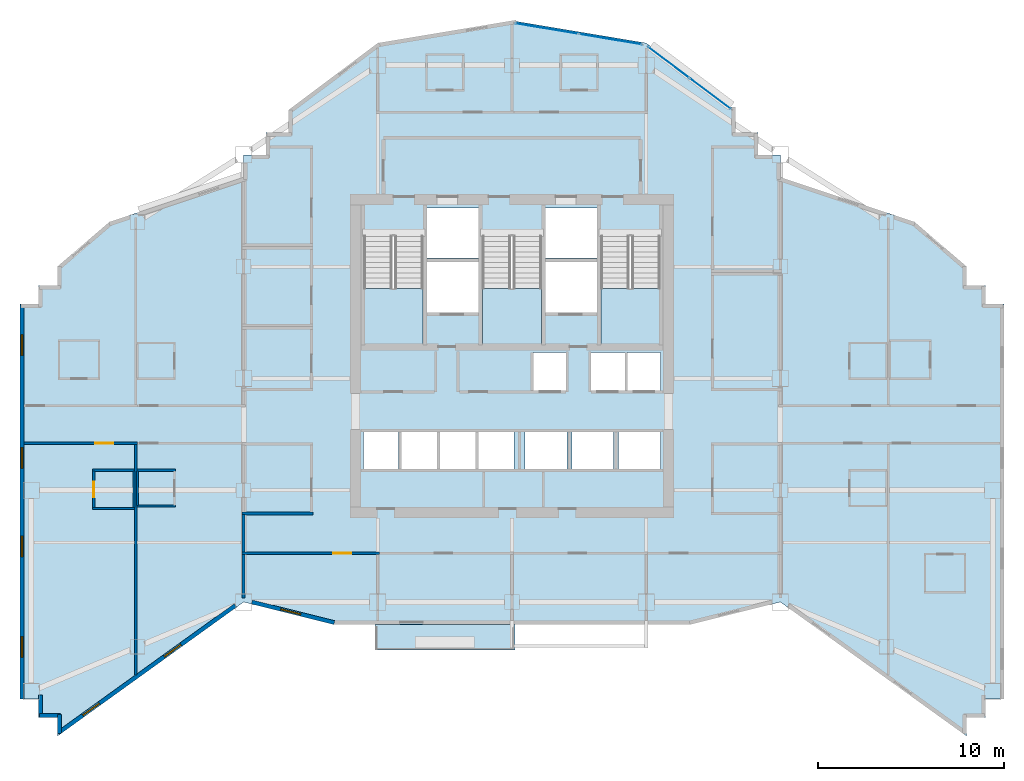
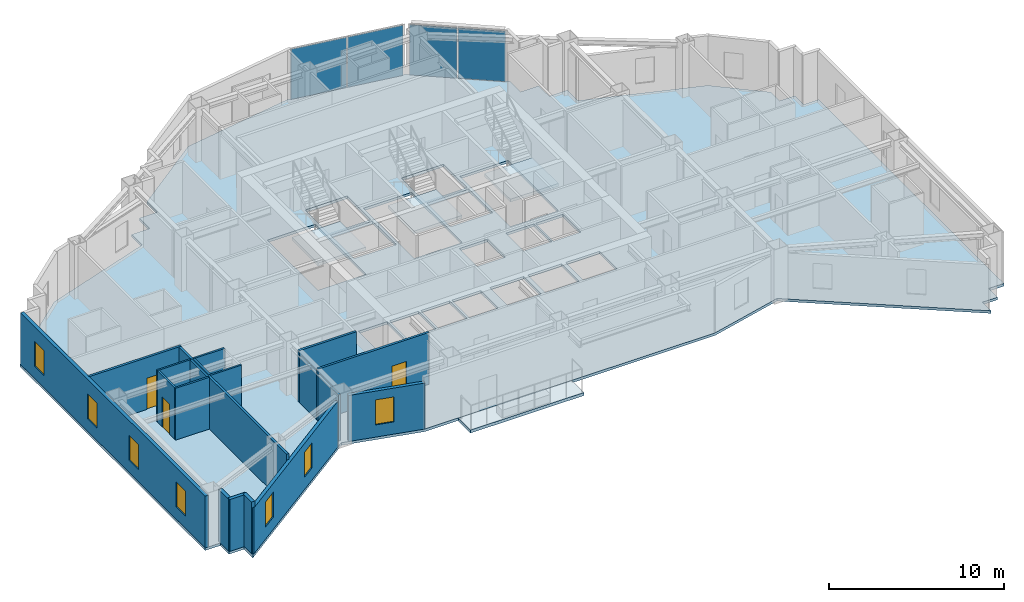
# One storey, part 4 of 11: 19 walls, 7 windows, 5 slabs, 4 plates, 3 doors, 10 openings, 5 elements without a shape of their own.
"""IFC4 building model written with IfcOpenShell, lengths in metres."""

from ifc_helpers import new_model, si_unit, direction, frame, frame_2d, origin, origin_2d, place, context, subcontext, project, spatial, polyline, rectangle, outline, extrude, material, layer, layer_set, type_object, element, fill, aggregate, save


model = new_model("IFC4")

# Units and contexts
model_context = context("Model", 3, precision=1e-05, world=origin(), true_north=direction((0.0, 1.0)))
body_context = subcontext(model_context, "Body", "Model", "MODEL_VIEW")
ifc_project = project(units=[si_unit("LENGTHUNIT", "METRE"), si_unit("AREAUNIT", "SQUARE_METRE"), si_unit("VOLUMEUNIT", "CUBIC_METRE"), si_unit("PLANEANGLEUNIT", "RADIAN"), si_unit("MASSUNIT", "GRAM", prefix="KILO")], contexts=[model_context])

# Site, building, storey
site_placement = place(None, origin())
site = spatial("IfcSite", under=ifc_project, at=site_placement, CompositionType="ELEMENT")
building_placement = place(site_placement, origin())
building = spatial("IfcBuilding", under=site, at=building_placement, Name="Haolan Belvedere Tower", CompositionType="ELEMENT")
storey_placement = place(building_placement, frame((0.0, 0.0, 172.800048828125)))
storey = spatial("IfcBuildingStorey", under=building, at=storey_placement, Name="L43", CompositionType="ELEMENT", Elevation=172.800048828125)

# Curtain wall, plates
ifc_material_1 = material(Name="Anodised champagne-silver aluminium 6063-T6 and Low-E glass", Category="aluminium")
ifc_layer_1 = layer(ifc_material_1, 0.14990234375, Name="Anodised champagne-silver aluminium 6063-T6 and Low-E glass")
ifc_layer_set_1 = layer_set([ifc_layer_1], Name="Anodised champagne-silver aluminium 6063-T6 and Low-E glass")
curtain_wall_type = type_object("IfcCurtainWallType", Name="CW-SYS-04", PredefinedType="NOTDEFINED", material=ifc_layer_set_1)
curtain_wall_1_placement = place(storey_placement, origin())
curtain_wall_1 = element("IfcCurtainWall", 1, at=curtain_wall_1_placement, inside=storey, type_object=curtain_wall_type, Name="L43 CW-SYS-04 ribbon curtain wall 20.1", PredefinedType="NOTDEFINED")
ifc_material_2 = material(Name="Double silver Low-E laminated insulating glass", Category="glass")
ifc_layer_2 = layer(ifc_material_2, 0.02392578125, Name="Double silver Low-E laminated insulating glass")
ifc_layer_set_2 = layer_set([ifc_layer_2], Name="Double silver Low-E laminated insulating glass")
plate_type = type_object("IfcPlateType", Name="CW-SYS-04-PNL", PredefinedType="CURTAIN_PANEL", material=ifc_layer_set_2)
plate_1_placement = place(storey_placement, frame((49.0390625, 48.883056640625, 0.052001953125), z_axis=(0.0, 0.0, 1.0), x_axis=(-0.799997871638, 0.600002837806, 0.0)))
plate_1 = element("IfcPlate", 2, at=plate_1_placement, type_object=plate_type, Name="CW-04 panel 1.1", PredefinedType="CURTAIN_PANEL", context=body_context, shape_type="SweptSolid", body=[
    extrude(rectangle(XDim=2.735107421875, YDim=0.02392578125, at=origin_2d()), origin(), (0.0, 0.0, 1.0), 3.51611328125),
])
plate_2_placement = place(storey_placement, frame((46.806396484375, 50.557861328125, 0.052001953125), z_axis=(0.0, 0.0, 1.0), x_axis=(-0.799997871638, 0.600002837806, 0.0)))
plate_2 = element("IfcPlate", 3, at=plate_2_placement, type_object=plate_type, Name="CW-04 panel 2.1", PredefinedType="CURTAIN_PANEL", context=body_context, shape_type="SweptSolid", body=[
    extrude(rectangle(XDim=2.735107421875, YDim=0.02392578125, at=origin_2d()), origin(), (0.0, 0.0, 1.0), 3.51611328125),
])
aggregate(curtain_wall_1, [plate_1, plate_2])

curtain_wall_2_placement = place(storey_placement, origin())
curtain_wall_2 = element("IfcCurtainWall", 4, at=curtain_wall_2_placement, inside=storey, type_object=curtain_wall_type, Name="L43 CW-SYS-04 ribbon curtain wall 21.1", PredefinedType="NOTDEFINED")
plate_3_placement = place(storey_placement, frame((43.683837890625, 51.807861328125, 0.052001953125), z_axis=(0.0, 0.0, 1.0), x_axis=(-0.98639276122, 0.164405962825, 0.0)))
plate_3 = element("IfcPlate", 5, at=plate_3_placement, type_object=plate_type, Name="CW-04 panel 1.1", PredefinedType="CURTAIN_PANEL", context=body_context, shape_type="SweptSolid", body=[
    extrude(rectangle(XDim=3.403076171875, YDim=0.02392578125, at=origin_2d()), origin(), (0.0, 0.0, 1.0), 3.51611328125),
])
plate_4_placement = place(storey_placement, frame((40.271728515625, 52.37646484375, 0.052001953125), z_axis=(0.0, 0.0, 1.0), x_axis=(-0.98639276122, 0.164405962825, 0.0)))
plate_4 = element("IfcPlate", 6, at=plate_4_placement, type_object=plate_type, Name="CW-04 panel 2.1", PredefinedType="CURTAIN_PANEL", context=body_context, shape_type="SweptSolid", body=[
    extrude(rectangle(XDim=3.403076171875, YDim=0.02392578125, at=origin_2d()), origin(), (0.0, 0.0, 1.0), 3.51611328125),
])
aggregate(curtain_wall_2, [plate_3, plate_4])

# Slabs
ifc_material_3 = material(Name="Concrete C40/50", Category="concrete")
ifc_layer_3 = layer(ifc_material_3, 0.2099609375, Name="Concrete C40/50")
ifc_layer_set_3 = layer_set([ifc_layer_3], Name="Concrete C40/50")
slab_type_1 = type_object("IfcSlabType", Name="SL-BAL-210", PredefinedType="FLOOR", material=ifc_layer_set_3)
slab_1_placement = place(storey_placement, frame((0.0, 0.0, -0.22998046875)))
element("IfcSlab", 7, at=slab_1_placement, inside=storey, type_object=slab_type_1, Name="L43 structural tree-planter balcony slab BAL-L43-S1", PredefinedType="FLOOR", context=body_context, shape_type="SweptSolid", body=[
    extrude(outline(polyline([(31.050048828125, 19.02001953125), (38.550048828125, 19.02001953125), (38.550048828125, 20.39990234375), (31.050048828125, 20.39990234375), (31.050048828125, 19.02001953125)])), origin(), (0.0, 0.0, 1.0), 0.2099609375),
])
ifc_layer_4 = layer(ifc_material_3, 0.179931640625, Name="Concrete C40/50")
ifc_layer_set_4 = layer_set([ifc_layer_4], Name="Concrete C40/50")
slab_type_2 = type_object("IfcSlabType", Name="SL-FLR-180", PredefinedType="FLOOR", material=ifc_layer_set_4)
slab_2_placement = place(storey_placement, frame((0.0, 0.0, -0.179931640625)))
element("IfcSlab", 8, at=slab_2_placement, inside=storey, type_object=slab_type_2, Name="L43 structural floor slab", PredefinedType="FLOOR", context=body_context, shape_type="SweptSolid", body=[
    extrude(outline(polyline([(24.0, 21.60009765625), (28.800048828125, 20.39990234375), (48.0, 20.39990234375), (52.800048828125, 21.60009765625), (62.800048828125, 14.39990234375), (62.800048828125, 15.39990234375), (63.800048828125, 15.39990234375), (63.800048828125, 16.39990234375), (64.800048828125, 16.39990234375), (64.800048828125, 37.60009765625), (63.800048828125, 37.60009765625), (63.800048828125, 38.60009765625), (62.800048828125, 38.60009765625), (62.800048828125, 39.60009765625), (60.0, 42.0), (52.800048828125, 44.39990234375), (52.800048828125, 45.60009765625), (51.60009765625, 45.60009765625), (51.60009765625, 46.800048828125), (50.39990234375, 46.800048828125), (50.39990234375, 48.0), (45.60009765625, 51.60009765625), (38.39990234375, 52.800048828125), (31.199951171875, 51.60009765625), (26.39990234375, 48.0), (26.39990234375, 46.800048828125), (25.199951171875, 46.800048828125), (25.199951171875, 45.60009765625), (24.0, 45.60009765625), (24.0, 44.39990234375), (16.800048828125, 42.0), (14.0, 39.60009765625), (14.0, 38.60009765625), (13.0, 38.60009765625), (13.0, 37.60009765625), (12.0, 37.60009765625), (12.0, 16.800048828125), (12.0, 16.39990234375), (13.0, 16.39990234375), (13.0, 15.39990234375), (14.0, 15.39990234375), (14.0, 14.39990234375), (24.0, 21.60009765625)]), holes=[polyline([(30.449951171875, 41.22998046875), (30.449951171875, 35.449951171875), (33.6298828125, 35.449951171875), (33.6298828125, 41.22998046875), (30.449951171875, 41.22998046875)]), polyline([(36.81005859375, 41.22998046875), (36.81005859375, 35.449951171875), (39.989990234375, 35.449951171875), (39.989990234375, 41.22998046875), (36.81005859375, 41.22998046875)]), polyline([(43.169921875, 41.22998046875), (43.169921875, 35.449951171875), (46.35009765625, 35.449951171875), (46.35009765625, 41.22998046875), (43.169921875, 41.22998046875)]), polyline([(33.830078125, 40.050048828125), (36.610107421875, 40.050048828125), (36.610107421875, 42.75), (33.830078125, 42.75), (33.830078125, 40.050048828125)]), polyline([(33.830078125, 37.14990234375), (36.610107421875, 37.14990234375), (36.610107421875, 39.85009765625), (33.830078125, 39.85009765625), (33.830078125, 37.14990234375)]), polyline([(40.18994140625, 40.050048828125), (42.969970703125, 40.050048828125), (42.969970703125, 42.75), (40.18994140625, 42.75), (40.18994140625, 40.050048828125)]), polyline([(40.18994140625, 37.14990234375), (42.969970703125, 37.14990234375), (42.969970703125, 39.85009765625), (40.18994140625, 39.85009765625), (40.18994140625, 37.14990234375)]), polyline([(39.5400390625, 32.949951171875), (41.389892578125, 32.949951171875), (41.389892578125, 35.0), (39.5400390625, 35.0), (39.5400390625, 32.949951171875)]), polyline([(42.6201171875, 32.949951171875), (44.469970703125, 32.949951171875), (44.469970703125, 35.0), (42.6201171875, 35.0), (42.6201171875, 32.949951171875)]), polyline([(44.580078125, 32.949951171875), (46.3798828125, 32.949951171875), (46.3798828125, 35.0), (44.580078125, 35.0), (44.580078125, 32.949951171875)]), polyline([(30.419921875, 28.75), (32.320068359375, 28.75), (32.320068359375, 30.75), (30.419921875, 30.75), (30.419921875, 28.75)]), polyline([(32.47998046875, 28.75), (34.3798828125, 28.75), (34.3798828125, 30.75), (32.47998046875, 30.75), (32.47998046875, 28.75)]), polyline([(34.5400390625, 28.75), (36.43994140625, 28.75), (36.43994140625, 30.75), (34.5400390625, 30.75), (34.5400390625, 28.75)]), polyline([(36.60009765625, 28.75), (38.5, 28.75), (38.5, 30.75), (36.60009765625, 30.75), (36.60009765625, 28.75)]), polyline([(39.10009765625, 28.75), (41.340087890625, 28.75), (41.340087890625, 30.75), (39.10009765625, 30.75), (39.10009765625, 28.75)]), polyline([(41.610107421875, 28.75), (43.85009765625, 28.75), (43.85009765625, 30.75), (41.610107421875, 30.75), (41.610107421875, 28.75)]), polyline([(44.1201171875, 28.75), (46.360107421875, 28.75), (46.360107421875, 30.75), (44.1201171875, 30.75), (44.1201171875, 28.75)])]), origin(), (0.0, 0.0, 1.0), 0.179931640625),
])

# Stair, slab
stair_type = type_object("IfcStairType", Name="STR-DL-22R-173", PredefinedType="HALF_TURN_STAIR", material=ifc_material_3)
stair_1_placement = place(storey_placement, origin())
stair_1 = element("IfcStair", 9, at=stair_1_placement, inside=storey, type_object=stair_type, Name="L43 Smokeproof Core Exit Stair ST1", PredefinedType="HALF_TURN_STAIR")
ifc_layer_5 = layer(ifc_material_3, 0.199951171875, Name="Concrete C40/50")
ifc_layer_set_5 = layer_set([ifc_layer_5], Name="Concrete C40/50")
slab_type_3 = type_object("IfcSlabType", Name="SL-LAND-200", PredefinedType="LANDING", material=ifc_layer_set_5)
slab_3_placement = place(storey_placement, frame((0.0, 0.0, 1.699951171875)))
slab_3 = element("IfcSlab", 10, at=slab_3_placement, type_object=slab_type_3, Name="ST1 landing 1", PredefinedType="LANDING", context=body_context, shape_type="SweptSolid", body=[
    extrude(outline(polyline([(30.449951171875, 38.429931640625), (30.449951171875, 35.449951171875), (33.6298828125, 35.449951171875), (33.6298828125, 38.429931640625), (30.449951171875, 38.429931640625)])), origin(), (0.0, 0.0, 1.0), 0.199951171875),
])
aggregate(stair_1, [slab_3])

stair_2_placement = place(storey_placement, origin())
stair_2 = element("IfcStair", 11, at=stair_2_placement, inside=storey, type_object=stair_type, Name="L43 Smokeproof Core Exit Stair ST3", PredefinedType="HALF_TURN_STAIR")
slab_4_placement = place(storey_placement, frame((0.0, 0.0, 1.699951171875)))
slab_4 = element("IfcSlab", 12, at=slab_4_placement, type_object=slab_type_3, Name="ST3 landing 1", PredefinedType="LANDING", context=body_context, shape_type="SweptSolid", body=[
    extrude(outline(polyline([(36.81005859375, 38.429931640625), (36.81005859375, 35.449951171875), (39.989990234375, 35.449951171875), (39.989990234375, 38.429931640625), (36.81005859375, 38.429931640625)])), origin(), (0.0, 0.0, 1.0), 0.199951171875),
])
aggregate(stair_2, [slab_4])

stair_3_placement = place(storey_placement, origin())
stair_3 = element("IfcStair", 13, at=stair_3_placement, inside=storey, type_object=stair_type, Name="L43 Smokeproof Core Exit Stair ST2", PredefinedType="HALF_TURN_STAIR")
slab_5_placement = place(storey_placement, frame((0.0, 0.0, 1.699951171875)))
slab_5 = element("IfcSlab", 14, at=slab_5_placement, type_object=slab_type_3, Name="ST2 landing 1", PredefinedType="LANDING", context=body_context, shape_type="SweptSolid", body=[
    extrude(outline(polyline([(43.169921875, 38.429931640625), (43.169921875, 35.449951171875), (46.35009765625, 35.449951171875), (46.35009765625, 38.429931640625), (43.169921875, 38.429931640625)])), origin(), (0.0, 0.0, 1.0), 0.199951171875),
])
aggregate(stair_3, [slab_5])

# Wall, openings, windows
ifc_material_4 = material(Name="Precast concrete C40/50", Category="concrete")
ifc_layer_6 = layer(ifc_material_4, 0.219970703125, Name="Precast concrete C40/50")
ifc_layer_set_6 = layer_set([ifc_layer_6], Name="Precast concrete C40/50")
wall_type_1 = type_object("IfcWallType", Name="WL-EXT-220", PredefinedType="SOLIDWALL", material=ifc_layer_set_6)
wall_1_placement = place(storey_placement, frame((12.110107421875, 37.544921875, 0.0), z_axis=(0.0, 0.0, 1.0), x_axis=(0.0, -1.0, 0.0)))
wall_1 = element("IfcWall", 15, at=wall_1_placement, inside=storey, type_object=wall_type_1, Name="L43 pale-metal exterior spandrel wall 35.1", PredefinedType="SOLIDWALL", context=body_context, shape_type="SweptSolid", body=[
    extrude(rectangle(XDim=21.14501953125, YDim=0.219970703125, at=frame_2d((10.572509765625, 0.0))), origin(), (0.0, 0.0, 1.0), 3.619873046875),
])
opening_1_placement = place(wall_1_placement, frame((1.60009765625, 0.0, 0.85009765625)))
opening_1 = element("IfcOpeningElement", 16, at=opening_1_placement, cuts=wall_1, Name="Opening W-03", PredefinedType="OPENING", context=body_context, shape_type="SweptSolid", body=[
    extrude(rectangle(XDim=1.10009765625, YDim=1.75, at=frame_2d((0.550048828125, 0.875))), frame((0.0, 0.119873046875, 0.0), z_axis=(0.0, -1.0, 0.0), x_axis=(1.0, 0.0, 0.0)), (0.0, 0.0, 1.0), 0.239990234375),
])
opening_2_placement = place(wall_1_placement, frame((7.659912109375, 0.0, 0.85009765625)))
opening_2 = element("IfcOpeningElement", 17, at=opening_2_placement, cuts=wall_1, Name="Opening W-03", PredefinedType="OPENING", context=body_context, shape_type="SweptSolid", body=[
    extrude(rectangle(XDim=1.10009765625, YDim=1.75, at=frame_2d((0.550048828125, 0.875))), frame((0.0, 0.119873046875, 0.0), z_axis=(0.0, -1.0, 0.0), x_axis=(1.0, 0.0, 0.0)), (0.0, 0.0, 1.0), 0.239990234375),
])
opening_3_placement = place(wall_1_placement, frame((12.39990234375, 0.0, 0.85009765625)))
opening_3 = element("IfcOpeningElement", 18, at=opening_3_placement, cuts=wall_1, Name="Opening W-03", PredefinedType="OPENING", context=body_context, shape_type="SweptSolid", body=[
    extrude(rectangle(XDim=1.10009765625, YDim=1.75, at=frame_2d((0.550048828125, 0.875))), frame((0.0, 0.119873046875, 0.0), z_axis=(0.0, -1.0, 0.0), x_axis=(1.0, 0.0, 0.0)), (0.0, 0.0, 1.0), 0.239990234375),
])
opening_4_placement = place(wall_1_placement, frame((17.800048828125, 0.0, 0.85009765625)))
opening_4 = element("IfcOpeningElement", 19, at=opening_4_placement, cuts=wall_1, Name="Opening W-03", PredefinedType="OPENING", context=body_context, shape_type="SweptSolid", body=[
    extrude(rectangle(XDim=1.10009765625, YDim=1.75, at=frame_2d((0.550048828125, 0.875))), frame((0.0, 0.119873046875, 0.0), z_axis=(0.0, -1.0, 0.0), x_axis=(1.0, 0.0, 0.0)), (0.0, 0.0, 1.0), 0.239990234375),
])
ifc_material_5 = material(Name="Anodised aluminium 6063-T6 and Low-E glass", Category="aluminium")
window_type = type_object("IfcWindowType", Name="WN-DECO-Z3", PartitioningType="SINGLE_PANEL", PredefinedType="WINDOW", material=ifc_material_5)
window_1_placement = place(opening_1_placement, origin())
window_1 = element("IfcWindow", 20, at=window_1_placement, inside=storey, type_object=window_type, Name="L43 Art Deco chevron window 1", OverallHeight=1.75, OverallWidth=1.10009765625, PartitioningType="SINGLE_PANEL", PredefinedType="WINDOW", context=body_context, shape_type="SweptSolid", body=[
    extrude(rectangle(XDim=1.10009765625, YDim=1.75, at=frame_2d((0.550048828125, 0.875))), frame((0.0, 0.030029296875, 0.0), z_axis=(0.0, -1.0, 0.0), x_axis=(1.0, 0.0, 0.0)), (0.0, 0.0, 1.0), 0.06005859375),
])
fill(opening_1, window_1)
window_2_placement = place(opening_2_placement, origin())
window_2 = element("IfcWindow", 21, at=window_2_placement, inside=storey, type_object=window_type, Name="L43 Art Deco chevron window 2", OverallHeight=1.75, OverallWidth=1.10009765625, PartitioningType="SINGLE_PANEL", PredefinedType="WINDOW", context=body_context, shape_type="SweptSolid", body=[
    extrude(rectangle(XDim=1.10009765625, YDim=1.75, at=frame_2d((0.550048828125, 0.875))), frame((0.0, 0.030029296875, 0.0), z_axis=(0.0, -1.0, 0.0), x_axis=(1.0, 0.0, 0.0)), (0.0, 0.0, 1.0), 0.06005859375),
])
fill(opening_2, window_2)
window_3_placement = place(opening_3_placement, origin())
window_3 = element("IfcWindow", 22, at=window_3_placement, inside=storey, type_object=window_type, Name="L43 Art Deco chevron window 3", OverallHeight=1.75, OverallWidth=1.10009765625, PartitioningType="SINGLE_PANEL", PredefinedType="WINDOW", context=body_context, shape_type="SweptSolid", body=[
    extrude(rectangle(XDim=1.10009765625, YDim=1.75, at=frame_2d((0.550048828125, 0.875))), frame((0.0, 0.030029296875, 0.0), z_axis=(0.0, -1.0, 0.0), x_axis=(1.0, 0.0, 0.0)), (0.0, 0.0, 1.0), 0.06005859375),
])
fill(opening_3, window_3)
window_4_placement = place(opening_4_placement, origin())
window_4 = element("IfcWindow", 23, at=window_4_placement, inside=storey, type_object=window_type, Name="L43 Art Deco chevron window 4", OverallHeight=1.75, OverallWidth=1.10009765625, PartitioningType="SINGLE_PANEL", PredefinedType="WINDOW", context=body_context, shape_type="SweptSolid", body=[
    extrude(rectangle(XDim=1.10009765625, YDim=1.75, at=frame_2d((0.550048828125, 0.875))), frame((0.0, 0.030029296875, 0.0), z_axis=(0.0, -1.0, 0.0), x_axis=(1.0, 0.0, 0.0)), (0.0, 0.0, 1.0), 0.06005859375),
])
fill(opening_4, window_4)

# Walls
wall_2_placement = place(storey_placement, frame((13.110107421875, 16.6201171875, 0.0), z_axis=(0.0, 0.0, 1.0), x_axis=(0.0, -1.0, 0.0)))
element("IfcWall", 24, at=wall_2_placement, inside=storey, type_object=wall_type_1, Name="L43 pale-metal exterior spandrel wall 37.1", PredefinedType="SOLIDWALL", context=body_context, shape_type="SweptSolid", body=[
    extrude(rectangle(XDim=1.1650390625, YDim=0.219970703125, at=frame_2d((0.58251953125, 0.0))), origin(), (0.0, 0.0, 1.0), 3.619873046875),
])
wall_3_placement = place(storey_placement, frame((13.054931640625, 15.510009765625, 0.0), z_axis=(0.0, 0.0, 1.0), x_axis=(1.0, 0.0, 0.0)))
element("IfcWall", 25, at=wall_3_placement, inside=storey, type_object=wall_type_1, Name="L43 pale-metal exterior spandrel wall 38.1", PredefinedType="SOLIDWALL", context=body_context, shape_type="SweptSolid", body=[
    extrude(rectangle(XDim=1.110107421875, YDim=0.219970703125, at=frame_2d((0.55517578125, 0.0))), origin(), (0.0, 0.0, 1.0), 3.619873046875),
])
wall_4_placement = place(storey_placement, frame((14.110107421875, 15.56494140625, 0.0), z_axis=(0.0, 0.0, 1.0), x_axis=(0.0, -1.0, 0.0)))
element("IfcWall", 26, at=wall_4_placement, inside=storey, type_object=wall_type_1, Name="L43 pale-metal exterior spandrel wall 39.1", PredefinedType="SOLIDWALL", context=body_context, shape_type="SweptSolid", body=[
    extrude(rectangle(XDim=1.005126953125, YDim=0.219970703125, at=frame_2d((0.50244140625, 0.0))), origin(), (0.0, 0.0, 1.0), 3.619873046875),
])

# Wall, openings, windows
wall_5_placement = place(storey_placement, frame((14.0654296875, 14.58251953125, 0.0), z_axis=(0.0, 0.0, 1.0), x_axis=(0.811534737332, 0.58430417601, 0.0)))
wall_5 = element("IfcWall", 27, at=wall_5_placement, inside=storey, type_object=wall_type_1, Name="L43 pale-metal exterior spandrel wall 40.1", PredefinedType="SOLIDWALL", context=body_context, shape_type="SweptSolid", body=[
    extrude(rectangle(XDim=11.697265625, YDim=0.219970703125, at=frame_2d((5.8486328125, 0.0))), origin(), (0.0, 0.0, 1.0), 3.21484375),
])
opening_5_placement = place(wall_5_placement, frame((1.60009765625, 0.0, 0.85009765625)))
opening_5 = element("IfcOpeningElement", 28, at=opening_5_placement, cuts=wall_5, Name="Opening W-03", PredefinedType="OPENING", context=body_context, shape_type="SweptSolid", body=[
    extrude(rectangle(XDim=1.10009765625, YDim=1.75, at=frame_2d((0.550048828125, 0.875))), frame((0.0, 0.119873046875, 0.0), z_axis=(0.0, -1.0, 0.0), x_axis=(1.0, 0.0, 0.0)), (0.0, 0.0, 1.0), 0.239990234375),
])
opening_6_placement = place(wall_5_placement, frame((7.0, 0.0, 0.85009765625)))
opening_6 = element("IfcOpeningElement", 29, at=opening_6_placement, cuts=wall_5, Name="Opening W-03", PredefinedType="OPENING", context=body_context, shape_type="SweptSolid", body=[
    extrude(rectangle(XDim=1.10009765625, YDim=1.75, at=frame_2d((0.550048828125, 0.875))), frame((0.0, 0.119873046875, 0.0), z_axis=(0.0, -1.0, 0.0), x_axis=(1.0, 0.0, 0.0)), (0.0, 0.0, 1.0), 0.239990234375),
])
window_5_placement = place(opening_5_placement, origin())
window_5 = element("IfcWindow", 30, at=window_5_placement, inside=storey, type_object=window_type, Name="L43 Art Deco chevron window 1", OverallHeight=1.75, OverallWidth=1.10009765625, PartitioningType="SINGLE_PANEL", PredefinedType="WINDOW", context=body_context, shape_type="SweptSolid", body=[
    extrude(rectangle(XDim=1.10009765625, YDim=1.75, at=frame_2d((0.550048828125, 0.875))), frame((0.0, 0.030029296875, 0.0), z_axis=(0.0, -1.0, 0.0), x_axis=(1.0, 0.0, 0.0)), (0.0, 0.0, 1.0), 0.06005859375),
])
fill(opening_5, window_5)
window_6_placement = place(opening_6_placement, origin())
window_6 = element("IfcWindow", 31, at=window_6_placement, inside=storey, type_object=window_type, Name="L43 Art Deco chevron window 2", OverallHeight=1.75, OverallWidth=1.10009765625, PartitioningType="SINGLE_PANEL", PredefinedType="WINDOW", context=body_context, shape_type="SweptSolid", body=[
    extrude(rectangle(XDim=1.10009765625, YDim=1.75, at=frame_2d((0.550048828125, 0.875))), frame((0.0, 0.030029296875, 0.0), z_axis=(0.0, -1.0, 0.0), x_axis=(1.0, 0.0, 0.0)), (0.0, 0.0, 1.0), 0.06005859375),
])
fill(opening_6, window_6)

# Wall, opening, window
wall_6_placement = place(storey_placement, frame((24.44189453125, 21.602783203125, 0.0), z_axis=(0.0, 0.0, 1.0), x_axis=(0.970145648609, -0.242523030833, 0.0)))
wall_6 = element("IfcWall", 32, at=wall_6_placement, inside=storey, type_object=wall_type_1, Name="L43 pale-metal exterior spandrel wall 41.1", PredefinedType="SOLIDWALL", context=body_context, shape_type="SweptSolid", body=[
    extrude(rectangle(XDim=4.561279296875, YDim=0.219970703125, at=frame_2d((2.28076171875, 0.0))), origin(), (0.0, 0.0, 1.0), 3.21484375),
])
opening_7_placement = place(wall_6_placement, frame((1.60009765625, 0.0, 0.85009765625)))
opening_7 = element("IfcOpeningElement", 33, at=opening_7_placement, cuts=wall_6, Name="Opening W-03", PredefinedType="OPENING", context=body_context, shape_type="SweptSolid", body=[
    extrude(rectangle(XDim=1.10009765625, YDim=1.75, at=frame_2d((0.550048828125, 0.875))), frame((0.0, 0.119873046875, 0.0), z_axis=(0.0, -1.0, 0.0), x_axis=(1.0, 0.0, 0.0)), (0.0, 0.0, 1.0), 0.239990234375),
])
window_7_placement = place(opening_7_placement, origin())
window_7 = element("IfcWindow", 34, at=window_7_placement, inside=storey, type_object=window_type, Name="L43 Art Deco chevron window 1", OverallHeight=1.75, OverallWidth=1.10009765625, PartitioningType="SINGLE_PANEL", PredefinedType="WINDOW", context=body_context, shape_type="SweptSolid", body=[
    extrude(rectangle(XDim=1.10009765625, YDim=1.75, at=frame_2d((0.550048828125, 0.875))), frame((0.0, 0.030029296875, 0.0), z_axis=(0.0, -1.0, 0.0), x_axis=(1.0, 0.0, 0.0)), (0.0, 0.0, 1.0), 0.06005859375),
])
fill(opening_7, window_7)

# Wall
ifc_material_6 = material(Name="Double gypsum acoustic stud partition", Category="masonry")
ifc_layer_7 = layer(ifc_material_6, 0.14990234375, Name="Double gypsum acoustic stud partition")
ifc_layer_set_7 = layer_set([ifc_layer_7], Name="Double gypsum acoustic stud partition")
wall_type_2 = type_object("IfcWallType", Name="WL-PART-150", PredefinedType="PARTITIONING", material=ifc_layer_set_7)
wall_7_placement = place(storey_placement, frame((23.919921875, 26.35009765625, 0.0), z_axis=(0.0, 0.0, 1.0), x_axis=(1.0, 0.0, 0.0)))
element("IfcWall", 35, at=wall_7_placement, inside=storey, type_object=wall_type_2, Name="L43 interior partition IW-L43-PKTW-S", PredefinedType="PARTITIONING", context=body_context, shape_type="SweptSolid", body=[
    extrude(rectangle(XDim=3.800048828125, YDim=0.14990234375, at=frame_2d((1.89990234375, 0.0))), origin(), (0.0, 0.0, 1.0), 3.619873046875),
])

# Wall, opening, door
wall_8_placement = place(storey_placement, frame((23.919921875, 24.219970703125, 0.0), z_axis=(0.0, 0.0, 1.0), x_axis=(1.0, 0.0, 0.0)))
wall_8 = element("IfcWall", 36, at=wall_8_placement, inside=storey, type_object=wall_type_2, Name="L43 interior partition IW-L43-KS1-N", PredefinedType="PARTITIONING", context=body_context, shape_type="SweptSolid", body=[
    extrude(rectangle(XDim=7.360107421875, YDim=0.14990234375, at=frame_2d((3.68017578125, 0.0))), origin(), (0.0, 0.0, 1.0), 3.619873046875),
])
opening_8_placement = place(wall_8_placement, frame((5.844970703125, 0.0, 0.0), z_axis=(0.0, 0.0, 1.0), x_axis=(-1.0, 0.0, 0.0)))
opening_8 = element("IfcOpeningElement", 37, at=opening_8_placement, cuts=wall_8, Name="Opening ID-03", PredefinedType="OPENING", context=body_context, shape_type="SweptSolid", body=[
    extrude(rectangle(XDim=0.949951171875, YDim=2.1201171875, at=frame_2d((0.47509765625, 1.06005859375))), frame((0.0, 0.0849609375, 0.0), z_axis=(0.0, -1.0, 0.0), x_axis=(1.0, 0.0, 0.0)), (0.0, 0.0, 1.0), 0.169921875),
])
ifc_material_7 = material(Name="Painted solid-core timber", Category="wood")
door_type_1 = type_object("IfcDoorType", Name="DR-INT-950", OperationType="NOTDEFINED", PredefinedType="DOOR", material=ifc_material_7)
door_1_placement = place(opening_8_placement, origin())
door_1 = element("IfcDoor", 38, at=door_1_placement, inside=storey, type_object=door_type_1, Name="L43 door ID-L43-KS1", OperationType="SINGLE_SWING_LEFT", OverallHeight=2.1201171875, OverallWidth=0.949951171875, PredefinedType="DOOR", context=body_context, shape_type="SweptSolid", body=[
    extrude(rectangle(XDim=0.949951171875, YDim=2.1201171875, at=frame_2d((0.47509765625, 1.06005859375))), frame((0.0, 0.02490234375, 0.0), z_axis=(0.0, -1.0, 0.0), x_axis=(1.0, 0.0, 0.0)), (0.0, 0.0, 1.0), 0.050048828125),
])
fill(opening_8, door_1)

# Wall
wall_9_placement = place(storey_placement, frame((24.0, 21.818603515625, 0.0), z_axis=(0.0, 0.0, 1.0), x_axis=(0.0, 1.0, 0.0)))
element("IfcWall", 39, at=wall_9_placement, inside=storey, type_object=wall_type_2, Name="L43 interior partition IW-L43-KS1-W", PredefinedType="PARTITIONING", context=body_context, shape_type="SweptSolid", body=[
    extrude(rectangle(XDim=2.34130859375, YDim=0.14990234375, at=frame_2d((1.170654296875, 0.0))), origin(), (0.0, 0.0, 1.0), 3.21484375),
])

# Wall, opening, door
wall_10_placement = place(storey_placement, frame((12.2119140625, 30.1201171875, 0.0), z_axis=(0.0, 0.0, 1.0), x_axis=(1.0, 0.0, 0.0)))
wall_10 = element("IfcWall", 40, at=wall_10_placement, inside=storey, type_object=wall_type_2, Name="L43 interior partition IW-L43-T2S1-N", PredefinedType="PARTITIONING", context=body_context, shape_type="SweptSolid", body=[
    extrude(rectangle(XDim=6.09814453125, YDim=0.14990234375, at=frame_2d((3.049072265625, 0.0))), origin(), (0.0, 0.0, 1.0), 3.619873046875),
])
opening_9_placement = place(wall_10_placement, frame((4.779296875, 0.0, 0.0), z_axis=(0.0, 0.0, 1.0), x_axis=(-1.0, 0.0, 0.0)))
opening_9 = element("IfcOpeningElement", 41, at=opening_9_placement, cuts=wall_10, Name="Opening ID-01", PredefinedType="OPENING", context=body_context, shape_type="SweptSolid", body=[
    extrude(rectangle(XDim=0.949951171875, YDim=2.179931640625, at=frame_2d((0.47509765625, 1.08984375))), frame((0.0, 0.0849609375, 0.0), z_axis=(0.0, -1.0, 0.0), x_axis=(1.0, 0.0, 0.0)), (0.0, 0.0, 1.0), 0.169921875),
])
ifc_material_8 = material(Name="Acoustic walnut veneer fire-rated timber", Category="wood")
door_type_2 = type_object("IfcDoorType", Name="DR-SUITE-950", OperationType="NOTDEFINED", PredefinedType="DOOR", material=ifc_material_8)
door_2_placement = place(opening_9_placement, origin())
door_2 = element("IfcDoor", 42, at=door_2_placement, inside=storey, type_object=door_type_2, Name="L43 door ID-L43-T2S1-ENT", OperationType="SINGLE_SWING_LEFT", OverallHeight=2.179931640625, OverallWidth=0.949951171875, PredefinedType="DOOR", context=body_context, shape_type="SweptSolid", body=[
    extrude(rectangle(XDim=0.949951171875, YDim=2.179931640625, at=frame_2d((0.47509765625, 1.08984375))), frame((0.0, 0.02490234375, 0.0), z_axis=(0.0, -1.0, 0.0), x_axis=(1.0, 0.0, 0.0)), (0.0, 0.0, 1.0), 0.050048828125),
])
fill(opening_9, door_2)

# Walls
wall_11_placement = place(storey_placement, frame((18.2099609375, 17.6923828125, 0.0), z_axis=(0.0, 0.0, 1.0), x_axis=(0.0, 1.0, 0.0)))
element("IfcWall", 43, at=wall_11_placement, inside=storey, type_object=wall_type_2, Name="L43 interior partition IW-L43-T2S1-E", PredefinedType="PARTITIONING", context=body_context, shape_type="SweptSolid", body=[
    extrude(rectangle(XDim=12.36767578125, YDim=0.14990234375, at=frame_2d((6.183837890625, 0.0))), origin(), (0.0, 0.0, 1.0), 3.619873046875),
])
wall_12_placement = place(storey_placement, frame((24.0, 24.280029296875, 0.0), z_axis=(0.0, 0.0, 1.0), x_axis=(0.0, 1.0, 0.0)))
element("IfcWall", 44, at=wall_12_placement, inside=storey, type_object=wall_type_2, Name="L43 interior partition IW-L43-T2S2-E", PredefinedType="PARTITIONING", context=body_context, shape_type="SweptSolid", body=[
    extrude(rectangle(XDim=2.010009765625, YDim=0.14990234375, at=frame_2d((1.0048828125, 0.0))), origin(), (0.0, 0.0, 1.0), 3.21484375),
])
ifc_material_9 = material(Name="Moisture-resistant gypsum tile partition", Category="masonry")
ifc_layer_8 = layer(ifc_material_9, 0.1201171875, Name="Moisture-resistant gypsum tile partition")
ifc_layer_set_8 = layer_set([ifc_layer_8], Name="Moisture-resistant gypsum tile partition")
wall_type_3 = type_object("IfcWallType", Name="WL-WET-120", PredefinedType="PARTITIONING", material=ifc_layer_set_8)
for number, where, z_axis, x_axis, name in (
    (45, (15.89990234375, 28.669921875, 0.0), (0.0, 0.0, 1.0), (1.0, 0.0, 0.0), "L43 interior partition IW-L43-T2S1-BN"),
    (46, (15.89990234375, 26.6201171875, 0.0), (0.0, 0.0, 1.0), (1.0, 0.0, 0.0), "L43 interior partition IW-L43-T2S1-BS"),
):
    element("IfcWall", number, at=place(storey_placement, frame(where, z_axis=z_axis, x_axis=x_axis)), inside=storey, type_object=wall_type_3, Name=name, PredefinedType="PARTITIONING", context=body_context, shape_type="SweptSolid", body=[
        extrude(rectangle(XDim=2.25, YDim=0.1201171875, at=frame_2d((1.125, 0.0))), origin(), (0.0, 0.0, 1.0), 3.619873046875),
    ])

# Wall, opening, door
wall_13_placement = place(storey_placement, frame((15.9599609375, 26.6650390625, 0.0), z_axis=(0.0, 0.0, 1.0), x_axis=(0.0, 1.0, 0.0)))
wall_13 = element("IfcWall", 47, at=wall_13_placement, inside=storey, type_object=wall_type_3, Name="L43 interior partition IW-L43-T2S1-BW", PredefinedType="PARTITIONING", context=body_context, shape_type="SweptSolid", body=[
    extrude(rectangle(XDim=1.9599609375, YDim=0.1201171875, at=frame_2d((0.97998046875, 0.0))), origin(), (0.0, 0.0, 1.0), 3.619873046875),
])
opening_10_placement = place(wall_13_placement, frame((1.405029296875, 0.0, 0.0), z_axis=(0.0, 0.0, 1.0), x_axis=(-1.0, 0.0, 0.0)))
opening_10 = element("IfcOpeningElement", 48, at=opening_10_placement, cuts=wall_13, Name="Opening ID-05", PredefinedType="OPENING", context=body_context, shape_type="SweptSolid", body=[
    extrude(rectangle(XDim=0.85009765625, YDim=2.10009765625, at=frame_2d((0.425048828125, 1.050048828125))), frame((0.0, 0.070068359375, 0.0), z_axis=(0.0, -1.0, 0.0), x_axis=(1.0, 0.0, 0.0)), (0.0, 0.0, 1.0), 0.14013671875),
])
ifc_material_10 = material(Name="Moisture-resistant lacquered timber", Category="wood")
door_type_3 = type_object("IfcDoorType", Name="DR-BATH-850", OperationType="NOTDEFINED", PredefinedType="DOOR", material=ifc_material_10)
door_3_placement = place(opening_10_placement, origin())
door_3 = element("IfcDoor", 49, at=door_3_placement, inside=storey, type_object=door_type_3, Name="L43 door ID-L43-T2S1-BATH", OperationType="SINGLE_SWING_RIGHT", OverallHeight=2.10009765625, OverallWidth=0.85009765625, PredefinedType="DOOR", context=body_context, shape_type="SweptSolid", body=[
    extrude(rectangle(XDim=0.85009765625, YDim=2.10009765625, at=frame_2d((0.425048828125, 1.050048828125))), frame((0.0, 0.02490234375, 0.0), z_axis=(0.0, -1.0, 0.0), x_axis=(1.0, 0.0, 0.0)), (0.0, 0.0, 1.0), 0.050048828125),
])
fill(opening_10, door_3)

# Walls
wall_14_placement = place(storey_placement, frame((18.110107421875, 26.6650390625, 0.0), z_axis=(0.0, 0.0, 1.0), x_axis=(0.0, 1.0, 0.0)))
element("IfcWall", 50, at=wall_14_placement, inside=storey, type_object=wall_type_3, Name="L43 interior partition IW-L43-T2S1-BE", PredefinedType="PARTITIONING", context=body_context, shape_type="SweptSolid", body=[
    extrude(rectangle(XDim=1.9599609375, YDim=0.1201171875, at=frame_2d((0.97998046875, 0.0))), origin(), (0.0, 0.0, 1.0), 3.619873046875),
])
for number, where, z_axis, x_axis, name in (
    (51, (18.27001953125, 28.669921875, 0.0), (0.0, 0.0, 1.0), (1.0, 0.0, 0.0), "L43 interior partition IW-L43-T2S2-BN"),
    (52, (18.27001953125, 26.75, 0.0), (0.0, 0.0, 1.0), (1.0, 0.0, 0.0), "L43 interior partition IW-L43-T2S2-BS"),
):
    element("IfcWall", number, at=place(storey_placement, frame(where, z_axis=z_axis, x_axis=x_axis)), inside=storey, type_object=wall_type_3, Name=name, PredefinedType="PARTITIONING", context=body_context, shape_type="SweptSolid", body=[
        extrude(rectangle(XDim=2.080078125, YDim=0.1201171875, at=frame_2d((1.0400390625, 0.0))), origin(), (0.0, 0.0, 1.0), 3.619873046875),
    ])
wall_15_placement = place(storey_placement, frame((18.31005859375, 26.794921875, 0.0), z_axis=(0.0, 0.0, 1.0), x_axis=(0.0, 1.0, 0.0)))
element("IfcWall", 53, at=wall_15_placement, inside=storey, type_object=wall_type_3, Name="L43 interior partition IW-L43-T2S2-BW", PredefinedType="PARTITIONING", context=body_context, shape_type="SweptSolid", body=[
    extrude(rectangle(XDim=1.830078125, YDim=0.1201171875, at=frame_2d((0.9150390625, 0.0))), origin(), (0.0, 0.0, 1.0), 3.619873046875),
])

save(model, "model.ifc")
